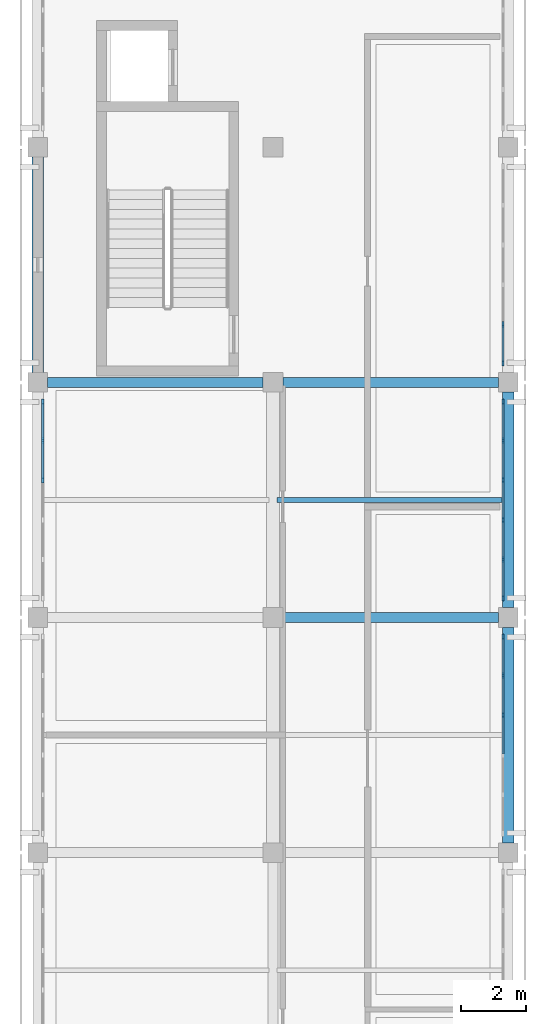
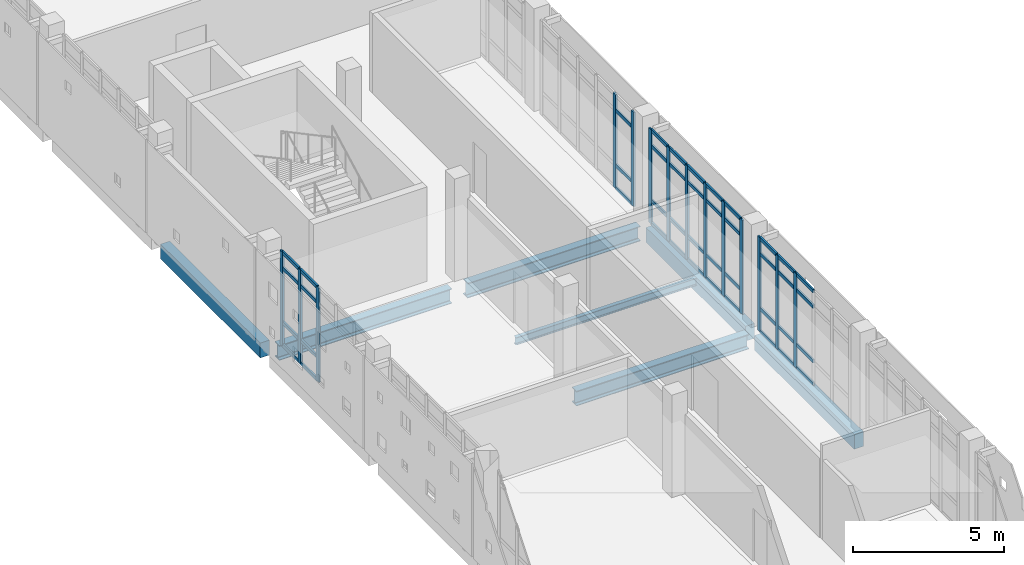
# One storey, part 7 of 21: 57 members, 7 beams, 4 elements without a shape of their own.
"""IFC4 building model written with IfcOpenShell, lengths in metres."""

import ifcopenshell
import ifcopenshell.guid

model = None  # the IFC model being written
_history = None  # IfcOwnerHistory: only IFC2X3 demands one
_inside = {}  # id of a spatial element -> (the spatial element, [elements in it])
_under = {}  # id of a project, library or spatial element -> (it, [spatial elements below it])
_declared = {}  # id of a project -> (the project, [libraries it declares])
_typed = {}  # id of a type object -> (the type object, [elements of that type])
_made_of = {}  # id of a material, layer set ... -> (it, [elements and type objects made of it])


def new_model(schema):
    """Start an empty IFC model of exactly this schema.

    Asked for "IFC4X3", IfcOpenShell would pick the latest addendum, in which some entities
    have other attributes; the version numbers below select the first issue.
    IFC2X3 requires an IfcOwnerHistory on every rooted entity: one is made here for all.
    """
    global model, _history
    if schema == "IFC4X3":
        model = ifcopenshell.file(schema_version=(4, 3, 0, 0))
    else:
        model = ifcopenshell.file(schema=schema)
    _inside.clear()
    _under.clear()
    _declared.clear()
    _typed.clear()
    _made_of.clear()
    _history = None
    if model.schema == "IFC2X3":
        org = make("IfcOrganization", Name="unknown")
        user = make(
            "IfcPersonAndOrganization",
            ThePerson=make("IfcPerson", FamilyName="unknown"),
            TheOrganization=org,
        )
        app = make(
            "IfcApplication",
            ApplicationDeveloper=org,
            Version="unknown",
            ApplicationFullName="unknown",
            ApplicationIdentifier="unknown",
        )
        _history = make(
            "IfcOwnerHistory",
            OwningUser=user,
            OwningApplication=app,
            ChangeAction="ADDED",
            CreationDate=0,
        )
    return model


def make(cls, **values):
    """One entity of the class cls with the attributes given. An attribute that is None is left unset."""
    return model.create_entity(
        cls, **{name: value for name, value in values.items() if value is not None}
    )


def rooted(cls, **values):
    """An entity with a GlobalId (a new one), such as an element, a storey or a relation."""
    return make(cls, GlobalId=ifcopenshell.guid.new(), OwnerHistory=_history, **values)


def si_unit(unit_type, name, prefix=None):
    """IfcSIUnit, for example si_unit("LENGTHUNIT", "METRE", prefix="MILLI")."""
    return make("IfcSIUnit", UnitType=unit_type, Prefix=prefix, Name=name)


def assignment(units):
    """IfcUnitAssignment: the units of a project."""
    return None if units is None else make("IfcUnitAssignment", Units=units)


def point(xyz):
    """IfcCartesianPoint."""
    return None if xyz is None else make("IfcCartesianPoint", Coordinates=xyz)


def direction(xyz):
    """IfcDirection."""
    return None if xyz is None else make("IfcDirection", DirectionRatios=xyz)


def frame(location, z_axis=None, x_axis=None):
    """IfcAxis2Placement3D, a coordinate frame: its origin and axes. An axis left out is left unset."""
    return make(
        "IfcAxis2Placement3D",
        Location=point(location),
        Axis=direction(z_axis),
        RefDirection=direction(x_axis),
    )


def frame_2d(location, x_axis=None):
    """IfcAxis2Placement2D, a coordinate frame in the plane: its origin and x axis."""
    return make(
        "IfcAxis2Placement2D", Location=point(location), RefDirection=direction(x_axis)
    )


def origin():
    """The frame at (0, 0, 0) with its axes left unset."""
    return frame((0.0, 0.0, 0.0))


def origin_2d():
    """The frame at (0, 0) in the plane with its x axis left unset."""
    return frame_2d((0.0, 0.0))


def place(relative_to, where):
    """IfcLocalPlacement: puts the frame where relative to a parent placement (None: the world)."""
    return make(
        "IfcLocalPlacement", PlacementRelTo=relative_to, RelativePlacement=where
    )


def context(
    kind, dimensions, precision=None, world=None, true_north=None, identifier=None
):
    """IfcGeometricRepresentationContext, for example the 3D "Model" context."""
    return make(
        "IfcGeometricRepresentationContext",
        ContextIdentifier=identifier,
        ContextType=kind,
        CoordinateSpaceDimension=dimensions,
        Precision=precision,
        WorldCoordinateSystem=world,
        TrueNorth=true_north,
    )


def subcontext(parent, identifier, kind, view, scale=None):
    """IfcGeometricRepresentationSubContext, for example "Body" below "Model"."""
    return make(
        "IfcGeometricRepresentationSubContext",
        ContextIdentifier=identifier,
        ContextType=kind,
        ParentContext=parent,
        TargetScale=scale,
        TargetView=view,
    )


def project(units=None, contexts=None):
    """IfcProject with its units and contexts."""
    return rooted(
        "IfcProject",
        Name="project",
        RepresentationContexts=contexts,
        UnitsInContext=assignment(units),
    )


def spatial(cls, under=None, at=None, **own):
    """A site, building, storey or space (cls), placed at a placement, below another one or the project."""
    s = rooted(cls, ObjectPlacement=at, **own)
    if under is not None:
        _under.setdefault(under.id(), (under, []))[1].append(s)
    return s


def profile(cls, at=None, kind="AREA", **sizes):
    """A parametric profile (cls). Its sizes go by their IFC names, for example OverallWidth=200.0."""
    return make(cls, ProfileType=kind, Position=at, **sizes)


def rectangle(**sizes):
    """IfcRectangleProfileDef."""
    return profile("IfcRectangleProfileDef", **sizes)


def i_section(**sizes):
    """IfcIShapeProfileDef."""
    return profile("IfcIShapeProfileDef", **sizes)


def extrude(swept, where, along, depth):
    """IfcExtrudedAreaSolid: the profile swept, set in the frame where, extruded along a direction by depth."""
    return make(
        "IfcExtrudedAreaSolid",
        SweptArea=swept,
        Position=where,
        ExtrudedDirection=direction(along),
        Depth=depth,
    )


def shape(context_of_items, identifier, shape_type, items):
    """IfcShapeRepresentation: the items that make up one representation, for example the "Body"."""
    return make(
        "IfcShapeRepresentation",
        ContextOfItems=context_of_items,
        RepresentationIdentifier=identifier,
        RepresentationType=shape_type,
        Items=items,
    )


def material(Name=None, Category=None):
    """IfcMaterial."""
    return make("IfcMaterial", Name=Name, Category=Category)


def layer(
    of_material, thickness, ventilated=None, Name=None, Category=None, Priority=None
):
    """IfcMaterialLayer: one layer of a wall or slab, of a material (None: an air gap)."""
    return make(
        "IfcMaterialLayer",
        Material=of_material,
        LayerThickness=thickness,
        IsVentilated=ventilated,
        Name=Name,
        Category=Category,
        Priority=Priority,
    )


def layer_set(layers, Name=None):
    """IfcMaterialLayerSet."""
    return make("IfcMaterialLayerSet", MaterialLayers=layers, LayerSetName=Name)


def material_profile(
    of_material, cross_section, Name=None, Category=None, Priority=None
):
    """IfcMaterialProfile: a cross section and its material."""
    return make(
        "IfcMaterialProfile",
        Name=Name,
        Material=of_material,
        Profile=cross_section,
        Priority=Priority,
        Category=Category,
    )


def profile_set(profiles, Name=None, composite=None):
    """IfcMaterialProfileSet."""
    return make(
        "IfcMaterialProfileSet",
        Name=Name,
        MaterialProfiles=profiles,
        CompositeProfile=composite,
    )


def made_of(thing, what):
    """Note that an element or type object is made of a material, layer set ...; save() writes the relation."""
    if what is not None:
        _made_of.setdefault(what.id(), (what, []))[1].append(thing)
    return thing


def type_object(cls, material=None, **own):
    """A type object (cls), such as IfcWallType, which elements share."""
    return made_of(rooted(cls, **own), material)


def element(
    cls,
    number,
    at=None,
    inside=None,
    cuts=None,
    type_object=None,
    material=None,
    context=None,
    identifier="Body",
    shape_type=None,
    held_by="IfcProductDefinitionShape",
    body=None,
    shapes=None,
    **own,
):
    """One element of the class cls, such as IfcWall. Its Tag is "e" and its number.

    at: its placement. inside: the storey or other place that contains it. cuts: it is an
    opening in that element (IfcRelVoidsElement). A single representation is given by context,
    identifier, shape_type and body (its items); several are given by shapes. held_by: the class
    of the entity that holds the representations. save() writes the other relations.
    """
    e = rooted(cls, Tag="e%d" % number, ObjectPlacement=at, **own)
    if body is not None:
        shapes = [shape(context, identifier, shape_type, body)]
    if shapes is not None:
        e.Representation = make(held_by, Representations=shapes)
    if inside is not None:
        _inside.setdefault(inside.id(), (inside, []))[1].append(e)
    if cuts is not None:
        rooted(
            "IfcRelVoidsElement", RelatingBuildingElement=cuts, RelatedOpeningElement=e
        )
    if type_object is not None:
        _typed.setdefault(type_object.id(), (type_object, []))[1].append(e)
    return made_of(e, material)


def aggregate(whole, parts):
    """IfcRelAggregates: a whole, such as a stair, and the parts it consists of."""
    return rooted("IfcRelAggregates", RelatingObject=whole, RelatedObjects=parts)


def save(model, path):
    """Write the relations noted so far, then the file.

    IfcRelAggregates (storeys below a building ...), IfcRelContainedInSpatialStructure (elements
    in a storey), IfcRelDefinesByType, IfcRelAssociatesMaterial and IfcRelDeclares: one each for
    every whole, place, type object, material and project.
    """
    for whole, parts in _under.values():
        aggregate(whole, parts)
    for where, things in _inside.values():
        rooted(
            "IfcRelContainedInSpatialStructure",
            RelatedElements=things,
            RelatingStructure=where,
        )
    for kind, things in _typed.values():
        rooted("IfcRelDefinesByType", RelatedObjects=things, RelatingType=kind)
    for what, things in _made_of.values():
        rooted("IfcRelAssociatesMaterial", RelatedObjects=things, RelatingMaterial=what)
    for by, libraries in _declared.values():
        rooted("IfcRelDeclares", RelatingContext=by, RelatedDefinitions=libraries)
    model.write(path)


model = new_model("IFC4")

# Units and contexts
model_context = context("Model", 3, precision=1e-05, world=origin(), true_north=direction((0.0, 1.0)))
body_context = subcontext(model_context, "Body", "Model", "MODEL_VIEW")
ifc_project = project(units=[si_unit("LENGTHUNIT", "METRE"), si_unit("AREAUNIT", "SQUARE_METRE"), si_unit("VOLUMEUNIT", "CUBIC_METRE"), si_unit("PLANEANGLEUNIT", "RADIAN"), si_unit("MASSUNIT", "GRAM", prefix="KILO")], contexts=[model_context])

# Site, building, storey
site_placement = place(None, origin())
site = spatial("IfcSite", under=ifc_project, at=site_placement, CompositionType="ELEMENT")
building_placement = place(site_placement, origin())
building = spatial("IfcBuilding", under=site, at=building_placement, Name="Valkovuoma Quantum and Materials Research Institute", CompositionType="ELEMENT")
storey_placement = place(building_placement, frame((0.0, 0.0, 33.919921875)))
storey = spatial("IfcBuildingStorey", under=building, at=storey_placement, Name="L08", CompositionType="ELEMENT", Elevation=33.919921875)

# Beams
ifc_material_1 = material(Name="Steel S355J2", Category="steel")
ifc_material_profile_1 = material_profile(ifc_material_1, i_section(OverallWidth=0.300048828125, OverallDepth=0.60009765625, WebThickness=0.015380859375, FlangeThickness=0.030029296875, FilletRadius=0.027099609375, at=origin_2d()), Name="Steel S355J2")
ifc_profile_set_1 = profile_set([ifc_material_profile_1], Name="Steel S355J2")
beam_type_1 = type_object("IfcBeamType", Name="Beam-B-HEB600", PredefinedType="BEAM", material=ifc_profile_set_1)
beam_1_placement = place(storey_placement, frame((7.5, 64.800048828125, -0.64990234375), z_axis=(1.0, 0.0, 0.0), x_axis=(0.0, 1.0, 0.0)))
element("IfcBeam", 1, at=beam_1_placement, inside=storey, type_object=beam_type_1, Name="L08 beam X-2541", PredefinedType="BEAM", context=body_context, shape_type="SweptSolid", body=[
    extrude(i_section(OverallWidth=0.300048828125, OverallDepth=0.60009765625, WebThickness=0.015380859375, FlangeThickness=0.030029296875, FilletRadius=0.027099609375, at=origin_2d()), origin(), (0.0, 0.0, 1.0), 6.60009765625),
])
beam_2_placement = place(storey_placement, frame((0.300048828125, 72.0, -0.64990234375), z_axis=(1.0, 0.0, 0.0), x_axis=(0.0, 1.0, 0.0)))
element("IfcBeam", 2, at=beam_2_placement, inside=storey, type_object=beam_type_1, Name="L08 beam X-2542", PredefinedType="BEAM", context=body_context, shape_type="SweptSolid", body=[
    extrude(i_section(OverallWidth=0.300048828125, OverallDepth=0.60009765625, WebThickness=0.015380859375, FlangeThickness=0.030029296875, FilletRadius=0.027099609375, at=origin_2d()), origin(), (0.0, 0.0, 1.0), 6.599853515625),
])
beam_3_placement = place(storey_placement, frame((7.5, 72.0, -0.64990234375), z_axis=(1.0, 0.0, 0.0), x_axis=(0.0, 1.0, 0.0)))
element("IfcBeam", 3, at=beam_3_placement, inside=storey, type_object=beam_type_1, Name="L08 beam X-2543", PredefinedType="BEAM", context=body_context, shape_type="SweptSolid", body=[
    extrude(i_section(OverallWidth=0.300048828125, OverallDepth=0.60009765625, WebThickness=0.015380859375, FlangeThickness=0.030029296875, FilletRadius=0.027099609375, at=origin_2d()), origin(), (0.0, 0.0, 1.0), 6.60009765625),
])
ifc_material_2 = material(Name="Steel S355J2", Category="steel")
ifc_material_profile_2 = material_profile(ifc_material_2, i_section(OverallWidth=0.14990234375, OverallDepth=0.300048828125, WebThickness=0.007080078125, FlangeThickness=0.0107421875, FilletRadius=0.014892578125, at=origin_2d()), Name="Steel S355J2")
ifc_profile_set_2 = profile_set([ifc_material_profile_2], Name="Steel S355J2")
beam_type_2 = type_object("IfcBeamType", Name="Beam-B-JST300", PredefinedType="JOIST", material=ifc_profile_set_2)
beam_4_placement = place(storey_placement, frame((7.320068359375, 68.39990234375, -0.5), z_axis=(1.0, 0.0, 0.0), x_axis=(0.0, 1.0, 0.0)))
element("IfcBeam", 4, at=beam_4_placement, inside=storey, type_object=beam_type_2, Name="L08 floor joist 2569", PredefinedType="JOIST", context=body_context, shape_type="SweptSolid", body=[
    extrude(i_section(OverallWidth=0.14990234375, OverallDepth=0.300048828125, WebThickness=0.007080078125, FlangeThickness=0.0107421875, FilletRadius=0.014892578125, at=origin_2d()), origin(), (0.0, 0.0, 1.0), 6.9599609375),
])
ifc_material_3 = material(Name="Concrete C40/50", Category="concrete")
ifc_material_profile_3 = material_profile(ifc_material_3, rectangle(XDim=0.35009765625, YDim=0.60009765625, at=origin_2d()), Name="Concrete C40/50")
ifc_profile_set_3 = profile_set([ifc_material_profile_3], Name="Concrete C40/50")
beam_type_3 = type_object("IfcBeamType", Name="Beam-B-SPN600", PredefinedType="SPANDREL", material=ifc_profile_set_3)
beam_5_placement = place(storey_placement, frame((0.0, 72.300048828125, -0.64990234375), z_axis=(0.0, 1.0, 0.0), x_axis=(-1.0, 0.0, 0.0)))
element("IfcBeam", 5, at=beam_5_placement, inside=storey, type_object=beam_type_3, Name="L08 beam Y-2550", PredefinedType="SPANDREL", context=body_context, shape_type="SweptSolid", body=[
    extrude(rectangle(XDim=0.35009765625, YDim=0.60009765625, at=origin_2d()), origin(), (0.0, 0.0, 1.0), 6.599853515625),
])
beam_6_placement = place(storey_placement, frame((14.39990234375, 57.89990234375, -0.64990234375), z_axis=(0.0, 1.0, 0.0), x_axis=(-1.0, 0.0, 0.0)))
element("IfcBeam", 6, at=beam_6_placement, inside=storey, type_object=beam_type_3, Name="L08 beam Y-2556", PredefinedType="SPANDREL", context=body_context, shape_type="SweptSolid", body=[
    extrude(rectangle(XDim=0.35009765625, YDim=0.60009765625, at=origin_2d()), origin(), (0.0, 0.0, 1.0), 6.60009765625),
])
beam_7_placement = place(storey_placement, frame((14.39990234375, 65.10009765625, -0.64990234375), z_axis=(0.0, 1.0, 0.0), x_axis=(-1.0, 0.0, 0.0)))
element("IfcBeam", 7, at=beam_7_placement, inside=storey, type_object=beam_type_3, Name="L08 beam Y-2557", PredefinedType="SPANDREL", context=body_context, shape_type="SweptSolid", body=[
    extrude(rectangle(XDim=0.35009765625, YDim=0.60009765625, at=origin_2d()), origin(), (0.0, 0.0, 1.0), 6.599853515625),
])

# Curtain wall, members
ifc_material_4 = material(Name="Thermally broken aluminium and triple low-E glazing", Category="aluminium")
ifc_layer = layer(ifc_material_4, 0.219970703125)
ifc_layer_set = layer_set([ifc_layer], Name="Thermally broken aluminium and triple low-E glazing")
curtain_wall_type = type_object("IfcCurtainWallType", Name="CW-CW-01", PredefinedType="NOTDEFINED", material=ifc_layer_set)
curtain_wall_1_placement = place(storey_placement, origin())
curtain_wall_1 = element("IfcCurtainWall", 8, at=curtain_wall_1_placement, inside=storey, type_object=curtain_wall_type, Name="L08 curtain wall 119", PredefinedType="NOTDEFINED")
ifc_material_5 = material(Name="Anodised aluminium 6060-T66", Category="aluminium")
ifc_material_profile_4 = material_profile(ifc_material_5, rectangle(XDim=0.06494140625, YDim=0.179931640625, at=origin_2d()), Name="Anodised aluminium 6060-T66")
ifc_profile_set_4 = profile_set([ifc_material_profile_4], Name="Anodised aluminium 6060-T66")
member_type_1 = type_object("IfcMemberType", Name="CWMull-CWM-01", PredefinedType="MULLION", material=ifc_profile_set_4)
member_1_placement = place(storey_placement, frame((14.25, 61.80859375, 0.0), z_axis=(0.0, 0.0, 1.0), x_axis=(-1.0, 0.0, 0.0)))
member_1 = element("IfcMember", 9, at=member_1_placement, type_object=member_type_1, Name="CW-01 mullion 4", PredefinedType="MULLION", context=body_context, shape_type="SweptSolid", body=[
    extrude(rectangle(XDim=0.06494140625, YDim=0.179931640625, at=origin_2d()), origin(), (0.0, 0.0, 1.0), 3.81005859375),
])
member_2_placement = place(storey_placement, frame((14.25, 63.025634765625, 0.0), z_axis=(0.0, 0.0, 1.0), x_axis=(-1.0, 0.0, 0.0)))
member_2 = element("IfcMember", 10, at=member_2_placement, type_object=member_type_1, Name="CW-01 mullion 5", PredefinedType="MULLION", context=body_context, shape_type="SweptSolid", body=[
    extrude(rectangle(XDim=0.06494140625, YDim=0.179931640625, at=origin_2d()), origin(), (0.0, 0.0, 1.0), 3.81005859375),
])
member_3_placement = place(storey_placement, frame((14.25, 64.21044921875, 0.0), z_axis=(0.0, 0.0, 1.0), x_axis=(-1.0, 0.0, 0.0)))
member_3 = element("IfcMember", 11, at=member_3_placement, type_object=member_type_1, Name="CW-01 mullion 6", PredefinedType="MULLION", context=body_context, shape_type="SweptSolid", body=[
    extrude(rectangle(XDim=0.06494140625, YDim=0.179931640625, at=origin_2d()), origin(), (0.0, 0.0, 1.0), 3.81005859375),
])

curtain_wall_2_placement = place(storey_placement, origin())
curtain_wall_2 = element("IfcCurtainWall", 12, at=curtain_wall_2_placement, inside=storey, type_object=curtain_wall_type, Name="L08 curtain wall 120", PredefinedType="NOTDEFINED")
member_4_placement = place(storey_placement, frame((0.14990234375, 69.008544921875, 0.0), z_axis=(0.0, 0.0, 1.0), x_axis=(-1.0, 0.0, 0.0)))
member_4 = element("IfcMember", 13, at=member_4_placement, type_object=member_type_1, Name="CW-01 mullion 4", PredefinedType="MULLION", context=body_context, shape_type="SweptSolid", body=[
    extrude(rectangle(XDim=0.06494140625, YDim=0.179931640625, at=origin_2d()), origin(), (0.0, 0.0, 1.0), 3.81005859375),
])
member_5_placement = place(storey_placement, frame((0.14990234375, 70.225830078125, 0.0), z_axis=(0.0, 0.0, 1.0), x_axis=(-1.0, 0.0, 0.0)))
member_5 = element("IfcMember", 14, at=member_5_placement, type_object=member_type_1, Name="CW-01 mullion 5", PredefinedType="MULLION", context=body_context, shape_type="SweptSolid", body=[
    extrude(rectangle(XDim=0.06494140625, YDim=0.179931640625, at=origin_2d()), origin(), (0.0, 0.0, 1.0), 3.81005859375),
])
member_6_placement = place(storey_placement, frame((0.14990234375, 71.410400390625, 0.0), z_axis=(0.0, 0.0, 1.0), x_axis=(-1.0, 0.0, 0.0)))
member_6 = element("IfcMember", 15, at=member_6_placement, type_object=member_type_1, Name="CW-01 mullion 6", PredefinedType="MULLION", context=body_context, shape_type="SweptSolid", body=[
    extrude(rectangle(XDim=0.06494140625, YDim=0.179931640625, at=origin_2d()), origin(), (0.0, 0.0, 1.0), 3.81005859375),
])

curtain_wall_3_placement = place(storey_placement, origin())
curtain_wall_3 = element("IfcCurtainWall", 16, at=curtain_wall_3_placement, inside=storey, type_object=curtain_wall_type, Name="L08 curtain wall 121", PredefinedType="NOTDEFINED")
member_7_placement = place(storey_placement, frame((14.25, 65.3896484375, 0.0), z_axis=(0.0, 0.0, 1.0), x_axis=(-1.0, 0.0, 0.0)))
member_7 = element("IfcMember", 17, at=member_7_placement, type_object=member_type_1, Name="CW-01 mullion 1", PredefinedType="MULLION", context=body_context, shape_type="SweptSolid", body=[
    extrude(rectangle(XDim=0.06494140625, YDim=0.179931640625, at=origin_2d()), origin(), (0.0, 0.0, 1.0), 3.81005859375),
])
member_8_placement = place(storey_placement, frame((14.25, 66.57421875, 0.0), z_axis=(0.0, 0.0, 1.0), x_axis=(-1.0, 0.0, 0.0)))
member_8 = element("IfcMember", 18, at=member_8_placement, type_object=member_type_1, Name="CW-01 mullion 2", PredefinedType="MULLION", context=body_context, shape_type="SweptSolid", body=[
    extrude(rectangle(XDim=0.06494140625, YDim=0.179931640625, at=origin_2d()), origin(), (0.0, 0.0, 1.0), 3.81005859375),
])
member_9_placement = place(storey_placement, frame((14.25, 67.79150390625, 0.0), z_axis=(0.0, 0.0, 1.0), x_axis=(-1.0, 0.0, 0.0)))
member_9 = element("IfcMember", 19, at=member_9_placement, type_object=member_type_1, Name="CW-01 mullion 3", PredefinedType="MULLION", context=body_context, shape_type="SweptSolid", body=[
    extrude(rectangle(XDim=0.06494140625, YDim=0.179931640625, at=origin_2d()), origin(), (0.0, 0.0, 1.0), 3.81005859375),
])
member_10_placement = place(storey_placement, frame((14.25, 69.008544921875, 0.0), z_axis=(0.0, 0.0, 1.0), x_axis=(-1.0, 0.0, 0.0)))
member_10 = element("IfcMember", 20, at=member_10_placement, type_object=member_type_1, Name="CW-01 mullion 4", PredefinedType="MULLION", context=body_context, shape_type="SweptSolid", body=[
    extrude(rectangle(XDim=0.06494140625, YDim=0.179931640625, at=origin_2d()), origin(), (0.0, 0.0, 1.0), 3.81005859375),
])
member_11_placement = place(storey_placement, frame((14.25, 70.225830078125, 0.0), z_axis=(0.0, 0.0, 1.0), x_axis=(-1.0, 0.0, 0.0)))
member_11 = element("IfcMember", 21, at=member_11_placement, type_object=member_type_1, Name="CW-01 mullion 5", PredefinedType="MULLION", context=body_context, shape_type="SweptSolid", body=[
    extrude(rectangle(XDim=0.06494140625, YDim=0.179931640625, at=origin_2d()), origin(), (0.0, 0.0, 1.0), 3.81005859375),
])
member_12_placement = place(storey_placement, frame((14.25, 71.410400390625, 0.0), z_axis=(0.0, 0.0, 1.0), x_axis=(-1.0, 0.0, 0.0)))
member_12 = element("IfcMember", 22, at=member_12_placement, type_object=member_type_1, Name="CW-01 mullion 6", PredefinedType="MULLION", context=body_context, shape_type="SweptSolid", body=[
    extrude(rectangle(XDim=0.06494140625, YDim=0.179931640625, at=origin_2d()), origin(), (0.0, 0.0, 1.0), 3.81005859375),
])

curtain_wall_4_placement = place(storey_placement, origin())
curtain_wall_4 = element("IfcCurtainWall", 23, at=curtain_wall_4_placement, inside=storey, type_object=curtain_wall_type, Name="L08 curtain wall 122", PredefinedType="NOTDEFINED")
member_13_placement = place(storey_placement, frame((14.25, 72.589599609375, 0.0), z_axis=(0.0, 0.0, 1.0), x_axis=(-1.0, 0.0, 0.0)))
member_13 = element("IfcMember", 24, at=member_13_placement, type_object=member_type_1, Name="CW-01 mullion 1", PredefinedType="MULLION", context=body_context, shape_type="SweptSolid", body=[
    extrude(rectangle(XDim=0.06494140625, YDim=0.179931640625, at=origin_2d()), origin(), (0.0, 0.0, 1.0), 3.81005859375),
])
member_14_placement = place(storey_placement, frame((14.25, 73.774169921875, 0.0), z_axis=(0.0, 0.0, 1.0), x_axis=(-1.0, 0.0, 0.0)))
member_14 = element("IfcMember", 25, at=member_14_placement, type_object=member_type_1, Name="CW-01 mullion 2", PredefinedType="MULLION", context=body_context, shape_type="SweptSolid", body=[
    extrude(rectangle(XDim=0.06494140625, YDim=0.179931640625, at=origin_2d()), origin(), (0.0, 0.0, 1.0), 3.81005859375),
])

# Member
ifc_material_6 = material(Name="Anodised aluminium 6060-T66", Category="aluminium")
ifc_material_profile_5 = material_profile(ifc_material_6, rectangle(XDim=0.06494140625, YDim=0.139892578125, at=origin_2d()), Name="Anodised aluminium 6060-T66")
ifc_profile_set_5 = profile_set([ifc_material_profile_5], Name="Anodised aluminium 6060-T66")
member_type_2 = type_object("IfcMemberType", Name="CWTran-CWT-01", PredefinedType="USERDEFINED", material=ifc_profile_set_5)
member_15_placement = place(storey_placement, frame((14.25, 60.6240234375, 0.032470703125), z_axis=(0.0, 1.0, 0.0), x_axis=(-1.0, 0.0, 0.0)))
member_15 = element("IfcMember", 26, at=member_15_placement, type_object=member_type_2, Name="CW-01 transom 3.1", ObjectType="TRANSOM", PredefinedType="USERDEFINED", context=body_context, shape_type="SweptSolid", body=[
    extrude(rectangle(XDim=0.06494140625, YDim=0.139892578125, at=origin_2d()), origin(), (0.0, 0.0, 1.0), 1.152099609375),
])

member_16_placement = place(storey_placement, frame((14.25, 60.6240234375, 0.9501953125), z_axis=(0.0, 1.0, 0.0), x_axis=(-1.0, 0.0, 0.0)))
member_16 = element("IfcMember", 27, at=member_16_placement, type_object=member_type_2, Name="CW-01 transom 3.2", ObjectType="TRANSOM", PredefinedType="USERDEFINED", context=body_context, shape_type="SweptSolid", body=[
    extrude(rectangle(XDim=0.06494140625, YDim=0.139892578125, at=origin_2d()), origin(), (0.0, 0.0, 1.0), 1.152099609375),
])

member_17_placement = place(storey_placement, frame((14.25, 60.6240234375, 3.16015625), z_axis=(0.0, 1.0, 0.0), x_axis=(-1.0, 0.0, 0.0)))
member_17 = element("IfcMember", 28, at=member_17_placement, type_object=member_type_2, Name="CW-01 transom 3.3", ObjectType="TRANSOM", PredefinedType="USERDEFINED", context=body_context, shape_type="SweptSolid", body=[
    extrude(rectangle(XDim=0.06494140625, YDim=0.139892578125, at=origin_2d()), origin(), (0.0, 0.0, 1.0), 1.152099609375),
])

member_18_placement = place(storey_placement, frame((14.25, 60.6240234375, 3.777587890625), z_axis=(0.0, 1.0, 0.0), x_axis=(-1.0, 0.0, 0.0)))
member_18 = element("IfcMember", 29, at=member_18_placement, type_object=member_type_2, Name="CW-01 transom 3.4", ObjectType="TRANSOM", PredefinedType="USERDEFINED", context=body_context, shape_type="SweptSolid", body=[
    extrude(rectangle(XDim=0.06494140625, YDim=0.139892578125, at=origin_2d()), origin(), (0.0, 0.0, 1.0), 1.152099609375),
])

member_19_placement = place(storey_placement, frame((14.25, 61.841064453125, 0.032470703125), z_axis=(0.0, 1.0, 0.0), x_axis=(-1.0, 0.0, 0.0)))
member_19 = element("IfcMember", 30, at=member_19_placement, type_object=member_type_2, Name="CW-01 transom 4.1", ObjectType="TRANSOM", PredefinedType="USERDEFINED", context=body_context, shape_type="SweptSolid", body=[
    extrude(rectangle(XDim=0.06494140625, YDim=0.139892578125, at=origin_2d()), origin(), (0.0, 0.0, 1.0), 1.152099609375),
])

member_20_placement = place(storey_placement, frame((14.25, 61.841064453125, 0.9501953125), z_axis=(0.0, 1.0, 0.0), x_axis=(-1.0, 0.0, 0.0)))
member_20 = element("IfcMember", 31, at=member_20_placement, type_object=member_type_2, Name="CW-01 transom 4.2", ObjectType="TRANSOM", PredefinedType="USERDEFINED", context=body_context, shape_type="SweptSolid", body=[
    extrude(rectangle(XDim=0.06494140625, YDim=0.139892578125, at=origin_2d()), origin(), (0.0, 0.0, 1.0), 1.152099609375),
])

member_21_placement = place(storey_placement, frame((14.25, 61.841064453125, 3.16015625), z_axis=(0.0, 1.0, 0.0), x_axis=(-1.0, 0.0, 0.0)))
member_21 = element("IfcMember", 32, at=member_21_placement, type_object=member_type_2, Name="CW-01 transom 4.3", ObjectType="TRANSOM", PredefinedType="USERDEFINED", context=body_context, shape_type="SweptSolid", body=[
    extrude(rectangle(XDim=0.06494140625, YDim=0.139892578125, at=origin_2d()), origin(), (0.0, 0.0, 1.0), 1.152099609375),
])

member_22_placement = place(storey_placement, frame((14.25, 61.841064453125, 3.777587890625), z_axis=(0.0, 1.0, 0.0), x_axis=(-1.0, 0.0, 0.0)))
member_22 = element("IfcMember", 33, at=member_22_placement, type_object=member_type_2, Name="CW-01 transom 4.4", ObjectType="TRANSOM", PredefinedType="USERDEFINED", context=body_context, shape_type="SweptSolid", body=[
    extrude(rectangle(XDim=0.06494140625, YDim=0.139892578125, at=origin_2d()), origin(), (0.0, 0.0, 1.0), 1.152099609375),
])

member_23_placement = place(storey_placement, frame((14.25, 63.058349609375, 0.032470703125), z_axis=(0.0, 1.0, 0.0), x_axis=(-1.0, 0.0, 0.0)))
member_23 = element("IfcMember", 34, at=member_23_placement, type_object=member_type_2, Name="CW-01 transom 5.1", ObjectType="TRANSOM", PredefinedType="USERDEFINED", context=body_context, shape_type="SweptSolid", body=[
    extrude(rectangle(XDim=0.06494140625, YDim=0.139892578125, at=origin_2d()), origin(), (0.0, 0.0, 1.0), 1.11962890625),
])

member_24_placement = place(storey_placement, frame((14.25, 63.058349609375, 0.9501953125), z_axis=(0.0, 1.0, 0.0), x_axis=(-1.0, 0.0, 0.0)))
member_24 = element("IfcMember", 35, at=member_24_placement, type_object=member_type_2, Name="CW-01 transom 5.2", ObjectType="TRANSOM", PredefinedType="USERDEFINED", context=body_context, shape_type="SweptSolid", body=[
    extrude(rectangle(XDim=0.06494140625, YDim=0.139892578125, at=origin_2d()), origin(), (0.0, 0.0, 1.0), 1.11962890625),
])

member_25_placement = place(storey_placement, frame((14.25, 63.058349609375, 3.16015625), z_axis=(0.0, 1.0, 0.0), x_axis=(-1.0, 0.0, 0.0)))
member_25 = element("IfcMember", 36, at=member_25_placement, type_object=member_type_2, Name="CW-01 transom 5.3", ObjectType="TRANSOM", PredefinedType="USERDEFINED", context=body_context, shape_type="SweptSolid", body=[
    extrude(rectangle(XDim=0.06494140625, YDim=0.139892578125, at=origin_2d()), origin(), (0.0, 0.0, 1.0), 1.11962890625),
])

member_26_placement = place(storey_placement, frame((14.25, 63.058349609375, 3.777587890625), z_axis=(0.0, 1.0, 0.0), x_axis=(-1.0, 0.0, 0.0)))
member_26 = element("IfcMember", 37, at=member_26_placement, type_object=member_type_2, Name="CW-01 transom 5.4", ObjectType="TRANSOM", PredefinedType="USERDEFINED", context=body_context, shape_type="SweptSolid", body=[
    extrude(rectangle(XDim=0.06494140625, YDim=0.139892578125, at=origin_2d()), origin(), (0.0, 0.0, 1.0), 1.11962890625),
])

aggregate(curtain_wall_1, [member_1, member_2, member_3, member_15, member_16, member_17, member_18, member_19, member_20, member_21, member_22, member_23, member_24, member_25, member_26])

member_27_placement = place(storey_placement, frame((0.14990234375, 69.041015625, 0.032470703125), z_axis=(0.0, 1.0, 0.0), x_axis=(-1.0, 0.0, 0.0)))
member_27 = element("IfcMember", 38, at=member_27_placement, type_object=member_type_2, Name="CW-01 transom 4.1", ObjectType="TRANSOM", PredefinedType="USERDEFINED", context=body_context, shape_type="SweptSolid", body=[
    extrude(rectangle(XDim=0.06494140625, YDim=0.139892578125, at=origin_2d()), origin(), (0.0, 0.0, 1.0), 1.15234375),
])

member_28_placement = place(storey_placement, frame((0.14990234375, 69.041015625, 0.9501953125), z_axis=(0.0, 1.0, 0.0), x_axis=(-1.0, 0.0, 0.0)))
member_28 = element("IfcMember", 39, at=member_28_placement, type_object=member_type_2, Name="CW-01 transom 4.2", ObjectType="TRANSOM", PredefinedType="USERDEFINED", context=body_context, shape_type="SweptSolid", body=[
    extrude(rectangle(XDim=0.06494140625, YDim=0.139892578125, at=origin_2d()), origin(), (0.0, 0.0, 1.0), 1.15234375),
])

member_29_placement = place(storey_placement, frame((0.14990234375, 69.041015625, 3.16015625), z_axis=(0.0, 1.0, 0.0), x_axis=(-1.0, 0.0, 0.0)))
member_29 = element("IfcMember", 40, at=member_29_placement, type_object=member_type_2, Name="CW-01 transom 4.3", ObjectType="TRANSOM", PredefinedType="USERDEFINED", context=body_context, shape_type="SweptSolid", body=[
    extrude(rectangle(XDim=0.06494140625, YDim=0.139892578125, at=origin_2d()), origin(), (0.0, 0.0, 1.0), 1.15234375),
])

member_30_placement = place(storey_placement, frame((0.14990234375, 69.041015625, 3.777587890625), z_axis=(0.0, 1.0, 0.0), x_axis=(-1.0, 0.0, 0.0)))
member_30 = element("IfcMember", 41, at=member_30_placement, type_object=member_type_2, Name="CW-01 transom 4.4", ObjectType="TRANSOM", PredefinedType="USERDEFINED", context=body_context, shape_type="SweptSolid", body=[
    extrude(rectangle(XDim=0.06494140625, YDim=0.139892578125, at=origin_2d()), origin(), (0.0, 0.0, 1.0), 1.15234375),
])

member_31_placement = place(storey_placement, frame((0.14990234375, 70.25830078125, 0.032470703125), z_axis=(0.0, 1.0, 0.0), x_axis=(-1.0, 0.0, 0.0)))
member_31 = element("IfcMember", 42, at=member_31_placement, type_object=member_type_2, Name="CW-01 transom 5.1", ObjectType="TRANSOM", PredefinedType="USERDEFINED", context=body_context, shape_type="SweptSolid", body=[
    extrude(rectangle(XDim=0.06494140625, YDim=0.139892578125, at=origin_2d()), origin(), (0.0, 0.0, 1.0), 1.11962890625),
])

member_32_placement = place(storey_placement, frame((0.14990234375, 70.25830078125, 0.9501953125), z_axis=(0.0, 1.0, 0.0), x_axis=(-1.0, 0.0, 0.0)))
member_32 = element("IfcMember", 43, at=member_32_placement, type_object=member_type_2, Name="CW-01 transom 5.2", ObjectType="TRANSOM", PredefinedType="USERDEFINED", context=body_context, shape_type="SweptSolid", body=[
    extrude(rectangle(XDim=0.06494140625, YDim=0.139892578125, at=origin_2d()), origin(), (0.0, 0.0, 1.0), 1.11962890625),
])

member_33_placement = place(storey_placement, frame((0.14990234375, 70.25830078125, 3.16015625), z_axis=(0.0, 1.0, 0.0), x_axis=(-1.0, 0.0, 0.0)))
member_33 = element("IfcMember", 44, at=member_33_placement, type_object=member_type_2, Name="CW-01 transom 5.3", ObjectType="TRANSOM", PredefinedType="USERDEFINED", context=body_context, shape_type="SweptSolid", body=[
    extrude(rectangle(XDim=0.06494140625, YDim=0.139892578125, at=origin_2d()), origin(), (0.0, 0.0, 1.0), 1.11962890625),
])

member_34_placement = place(storey_placement, frame((0.14990234375, 70.25830078125, 3.777587890625), z_axis=(0.0, 1.0, 0.0), x_axis=(-1.0, 0.0, 0.0)))
member_34 = element("IfcMember", 45, at=member_34_placement, type_object=member_type_2, Name="CW-01 transom 5.4", ObjectType="TRANSOM", PredefinedType="USERDEFINED", context=body_context, shape_type="SweptSolid", body=[
    extrude(rectangle(XDim=0.06494140625, YDim=0.139892578125, at=origin_2d()), origin(), (0.0, 0.0, 1.0), 1.11962890625),
])

aggregate(curtain_wall_2, [member_4, member_5, member_6, member_27, member_28, member_29, member_30, member_31, member_32, member_33, member_34])

member_35_placement = place(storey_placement, frame((14.25, 65.422119140625, 0.032470703125), z_axis=(0.0, 1.0, 0.0), x_axis=(-1.0, 0.0, 0.0)))
member_35 = element("IfcMember", 46, at=member_35_placement, type_object=member_type_2, Name="CW-01 transom 1.1", ObjectType="TRANSOM", PredefinedType="USERDEFINED", context=body_context, shape_type="SweptSolid", body=[
    extrude(rectangle(XDim=0.06494140625, YDim=0.139892578125, at=origin_2d()), origin(), (0.0, 0.0, 1.0), 1.11962890625),
])

member_36_placement = place(storey_placement, frame((14.25, 65.422119140625, 0.9501953125), z_axis=(0.0, 1.0, 0.0), x_axis=(-1.0, 0.0, 0.0)))
member_36 = element("IfcMember", 47, at=member_36_placement, type_object=member_type_2, Name="CW-01 transom 1.2", ObjectType="TRANSOM", PredefinedType="USERDEFINED", context=body_context, shape_type="SweptSolid", body=[
    extrude(rectangle(XDim=0.06494140625, YDim=0.139892578125, at=origin_2d()), origin(), (0.0, 0.0, 1.0), 1.11962890625),
])

member_37_placement = place(storey_placement, frame((14.25, 65.422119140625, 3.16015625), z_axis=(0.0, 1.0, 0.0), x_axis=(-1.0, 0.0, 0.0)))
member_37 = element("IfcMember", 48, at=member_37_placement, type_object=member_type_2, Name="CW-01 transom 1.3", ObjectType="TRANSOM", PredefinedType="USERDEFINED", context=body_context, shape_type="SweptSolid", body=[
    extrude(rectangle(XDim=0.06494140625, YDim=0.139892578125, at=origin_2d()), origin(), (0.0, 0.0, 1.0), 1.11962890625),
])

member_38_placement = place(storey_placement, frame((14.25, 65.422119140625, 3.777587890625), z_axis=(0.0, 1.0, 0.0), x_axis=(-1.0, 0.0, 0.0)))
member_38 = element("IfcMember", 49, at=member_38_placement, type_object=member_type_2, Name="CW-01 transom 1.4", ObjectType="TRANSOM", PredefinedType="USERDEFINED", context=body_context, shape_type="SweptSolid", body=[
    extrude(rectangle(XDim=0.06494140625, YDim=0.139892578125, at=origin_2d()), origin(), (0.0, 0.0, 1.0), 1.11962890625),
])

member_39_placement = place(storey_placement, frame((14.25, 66.606689453125, 0.032470703125), z_axis=(0.0, 1.0, 0.0), x_axis=(-1.0, 0.0, 0.0)))
member_39 = element("IfcMember", 50, at=member_39_placement, type_object=member_type_2, Name="CW-01 transom 2.1", ObjectType="TRANSOM", PredefinedType="USERDEFINED", context=body_context, shape_type="SweptSolid", body=[
    extrude(rectangle(XDim=0.06494140625, YDim=0.139892578125, at=origin_2d()), origin(), (0.0, 0.0, 1.0), 1.15234375),
])

member_40_placement = place(storey_placement, frame((14.25, 66.606689453125, 0.9501953125), z_axis=(0.0, 1.0, 0.0), x_axis=(-1.0, 0.0, 0.0)))
member_40 = element("IfcMember", 51, at=member_40_placement, type_object=member_type_2, Name="CW-01 transom 2.2", ObjectType="TRANSOM", PredefinedType="USERDEFINED", context=body_context, shape_type="SweptSolid", body=[
    extrude(rectangle(XDim=0.06494140625, YDim=0.139892578125, at=origin_2d()), origin(), (0.0, 0.0, 1.0), 1.15234375),
])

member_41_placement = place(storey_placement, frame((14.25, 66.606689453125, 3.16015625), z_axis=(0.0, 1.0, 0.0), x_axis=(-1.0, 0.0, 0.0)))
member_41 = element("IfcMember", 52, at=member_41_placement, type_object=member_type_2, Name="CW-01 transom 2.3", ObjectType="TRANSOM", PredefinedType="USERDEFINED", context=body_context, shape_type="SweptSolid", body=[
    extrude(rectangle(XDim=0.06494140625, YDim=0.139892578125, at=origin_2d()), origin(), (0.0, 0.0, 1.0), 1.15234375),
])

member_42_placement = place(storey_placement, frame((14.25, 66.606689453125, 3.777587890625), z_axis=(0.0, 1.0, 0.0), x_axis=(-1.0, 0.0, 0.0)))
member_42 = element("IfcMember", 53, at=member_42_placement, type_object=member_type_2, Name="CW-01 transom 2.4", ObjectType="TRANSOM", PredefinedType="USERDEFINED", context=body_context, shape_type="SweptSolid", body=[
    extrude(rectangle(XDim=0.06494140625, YDim=0.139892578125, at=origin_2d()), origin(), (0.0, 0.0, 1.0), 1.15234375),
])

member_43_placement = place(storey_placement, frame((14.25, 67.823974609375, 0.032470703125), z_axis=(0.0, 1.0, 0.0), x_axis=(-1.0, 0.0, 0.0)))
member_43 = element("IfcMember", 54, at=member_43_placement, type_object=member_type_2, Name="CW-01 transom 3.1", ObjectType="TRANSOM", PredefinedType="USERDEFINED", context=body_context, shape_type="SweptSolid", body=[
    extrude(rectangle(XDim=0.06494140625, YDim=0.139892578125, at=origin_2d()), origin(), (0.0, 0.0, 1.0), 1.152099609375),
])

member_44_placement = place(storey_placement, frame((14.25, 67.823974609375, 0.9501953125), z_axis=(0.0, 1.0, 0.0), x_axis=(-1.0, 0.0, 0.0)))
member_44 = element("IfcMember", 55, at=member_44_placement, type_object=member_type_2, Name="CW-01 transom 3.2", ObjectType="TRANSOM", PredefinedType="USERDEFINED", context=body_context, shape_type="SweptSolid", body=[
    extrude(rectangle(XDim=0.06494140625, YDim=0.139892578125, at=origin_2d()), origin(), (0.0, 0.0, 1.0), 1.152099609375),
])

member_45_placement = place(storey_placement, frame((14.25, 67.823974609375, 3.16015625), z_axis=(0.0, 1.0, 0.0), x_axis=(-1.0, 0.0, 0.0)))
member_45 = element("IfcMember", 56, at=member_45_placement, type_object=member_type_2, Name="CW-01 transom 3.3", ObjectType="TRANSOM", PredefinedType="USERDEFINED", context=body_context, shape_type="SweptSolid", body=[
    extrude(rectangle(XDim=0.06494140625, YDim=0.139892578125, at=origin_2d()), origin(), (0.0, 0.0, 1.0), 1.152099609375),
])

member_46_placement = place(storey_placement, frame((14.25, 67.823974609375, 3.777587890625), z_axis=(0.0, 1.0, 0.0), x_axis=(-1.0, 0.0, 0.0)))
member_46 = element("IfcMember", 57, at=member_46_placement, type_object=member_type_2, Name="CW-01 transom 3.4", ObjectType="TRANSOM", PredefinedType="USERDEFINED", context=body_context, shape_type="SweptSolid", body=[
    extrude(rectangle(XDim=0.06494140625, YDim=0.139892578125, at=origin_2d()), origin(), (0.0, 0.0, 1.0), 1.152099609375),
])

member_47_placement = place(storey_placement, frame((14.25, 69.041015625, 0.032470703125), z_axis=(0.0, 1.0, 0.0), x_axis=(-1.0, 0.0, 0.0)))
member_47 = element("IfcMember", 58, at=member_47_placement, type_object=member_type_2, Name="CW-01 transom 4.1", ObjectType="TRANSOM", PredefinedType="USERDEFINED", context=body_context, shape_type="SweptSolid", body=[
    extrude(rectangle(XDim=0.06494140625, YDim=0.139892578125, at=origin_2d()), origin(), (0.0, 0.0, 1.0), 1.15234375),
])

member_48_placement = place(storey_placement, frame((14.25, 69.041015625, 0.9501953125), z_axis=(0.0, 1.0, 0.0), x_axis=(-1.0, 0.0, 0.0)))
member_48 = element("IfcMember", 59, at=member_48_placement, type_object=member_type_2, Name="CW-01 transom 4.2", ObjectType="TRANSOM", PredefinedType="USERDEFINED", context=body_context, shape_type="SweptSolid", body=[
    extrude(rectangle(XDim=0.06494140625, YDim=0.139892578125, at=origin_2d()), origin(), (0.0, 0.0, 1.0), 1.15234375),
])

member_49_placement = place(storey_placement, frame((14.25, 69.041015625, 3.16015625), z_axis=(0.0, 1.0, 0.0), x_axis=(-1.0, 0.0, 0.0)))
member_49 = element("IfcMember", 60, at=member_49_placement, type_object=member_type_2, Name="CW-01 transom 4.3", ObjectType="TRANSOM", PredefinedType="USERDEFINED", context=body_context, shape_type="SweptSolid", body=[
    extrude(rectangle(XDim=0.06494140625, YDim=0.139892578125, at=origin_2d()), origin(), (0.0, 0.0, 1.0), 1.15234375),
])

member_50_placement = place(storey_placement, frame((14.25, 69.041015625, 3.777587890625), z_axis=(0.0, 1.0, 0.0), x_axis=(-1.0, 0.0, 0.0)))
member_50 = element("IfcMember", 61, at=member_50_placement, type_object=member_type_2, Name="CW-01 transom 4.4", ObjectType="TRANSOM", PredefinedType="USERDEFINED", context=body_context, shape_type="SweptSolid", body=[
    extrude(rectangle(XDim=0.06494140625, YDim=0.139892578125, at=origin_2d()), origin(), (0.0, 0.0, 1.0), 1.15234375),
])

member_51_placement = place(storey_placement, frame((14.25, 70.25830078125, 0.032470703125), z_axis=(0.0, 1.0, 0.0), x_axis=(-1.0, 0.0, 0.0)))
member_51 = element("IfcMember", 62, at=member_51_placement, type_object=member_type_2, Name="CW-01 transom 5.1", ObjectType="TRANSOM", PredefinedType="USERDEFINED", context=body_context, shape_type="SweptSolid", body=[
    extrude(rectangle(XDim=0.06494140625, YDim=0.139892578125, at=origin_2d()), origin(), (0.0, 0.0, 1.0), 1.11962890625),
])

member_52_placement = place(storey_placement, frame((14.25, 70.25830078125, 0.9501953125), z_axis=(0.0, 1.0, 0.0), x_axis=(-1.0, 0.0, 0.0)))
member_52 = element("IfcMember", 63, at=member_52_placement, type_object=member_type_2, Name="CW-01 transom 5.2", ObjectType="TRANSOM", PredefinedType="USERDEFINED", context=body_context, shape_type="SweptSolid", body=[
    extrude(rectangle(XDim=0.06494140625, YDim=0.139892578125, at=origin_2d()), origin(), (0.0, 0.0, 1.0), 1.11962890625),
])

member_53_placement = place(storey_placement, frame((14.25, 70.25830078125, 3.16015625), z_axis=(0.0, 1.0, 0.0), x_axis=(-1.0, 0.0, 0.0)))
member_53 = element("IfcMember", 64, at=member_53_placement, type_object=member_type_2, Name="CW-01 transom 5.3", ObjectType="TRANSOM", PredefinedType="USERDEFINED", context=body_context, shape_type="SweptSolid", body=[
    extrude(rectangle(XDim=0.06494140625, YDim=0.139892578125, at=origin_2d()), origin(), (0.0, 0.0, 1.0), 1.11962890625),
])

member_54_placement = place(storey_placement, frame((14.25, 70.25830078125, 3.777587890625), z_axis=(0.0, 1.0, 0.0), x_axis=(-1.0, 0.0, 0.0)))
member_54 = element("IfcMember", 65, at=member_54_placement, type_object=member_type_2, Name="CW-01 transom 5.4", ObjectType="TRANSOM", PredefinedType="USERDEFINED", context=body_context, shape_type="SweptSolid", body=[
    extrude(rectangle(XDim=0.06494140625, YDim=0.139892578125, at=origin_2d()), origin(), (0.0, 0.0, 1.0), 1.11962890625),
])

aggregate(curtain_wall_3, [member_7, member_8, member_9, member_10, member_11, member_12, member_35, member_36, member_37, member_38, member_39, member_40, member_41, member_42, member_43, member_44, member_45, member_46, member_47, member_48, member_49, member_50, member_51, member_52, member_53, member_54])

member_55_placement = place(storey_placement, frame((14.25, 72.6220703125, 0.032470703125), z_axis=(0.0, 1.0, 0.0), x_axis=(-1.0, 0.0, 0.0)))
member_55 = element("IfcMember", 66, at=member_55_placement, type_object=member_type_2, Name="CW-01 transom 1.1", ObjectType="TRANSOM", PredefinedType="USERDEFINED", context=body_context, shape_type="SweptSolid", body=[
    extrude(rectangle(XDim=0.06494140625, YDim=0.139892578125, at=origin_2d()), origin(), (0.0, 0.0, 1.0), 1.11962890625),
])

member_56_placement = place(storey_placement, frame((14.25, 72.6220703125, 0.9501953125), z_axis=(0.0, 1.0, 0.0), x_axis=(-1.0, 0.0, 0.0)))
member_56 = element("IfcMember", 67, at=member_56_placement, type_object=member_type_2, Name="CW-01 transom 1.2", ObjectType="TRANSOM", PredefinedType="USERDEFINED", context=body_context, shape_type="SweptSolid", body=[
    extrude(rectangle(XDim=0.06494140625, YDim=0.139892578125, at=origin_2d()), origin(), (0.0, 0.0, 1.0), 1.11962890625),
])

member_57_placement = place(storey_placement, frame((14.25, 72.6220703125, 3.16015625), z_axis=(0.0, 1.0, 0.0), x_axis=(-1.0, 0.0, 0.0)))
member_57 = element("IfcMember", 68, at=member_57_placement, type_object=member_type_2, Name="CW-01 transom 1.3", ObjectType="TRANSOM", PredefinedType="USERDEFINED", context=body_context, shape_type="SweptSolid", body=[
    extrude(rectangle(XDim=0.06494140625, YDim=0.139892578125, at=origin_2d()), origin(), (0.0, 0.0, 1.0), 1.11962890625),
])

aggregate(curtain_wall_4, [member_13, member_14, member_55, member_56, member_57])

save(model, "model.ifc")
